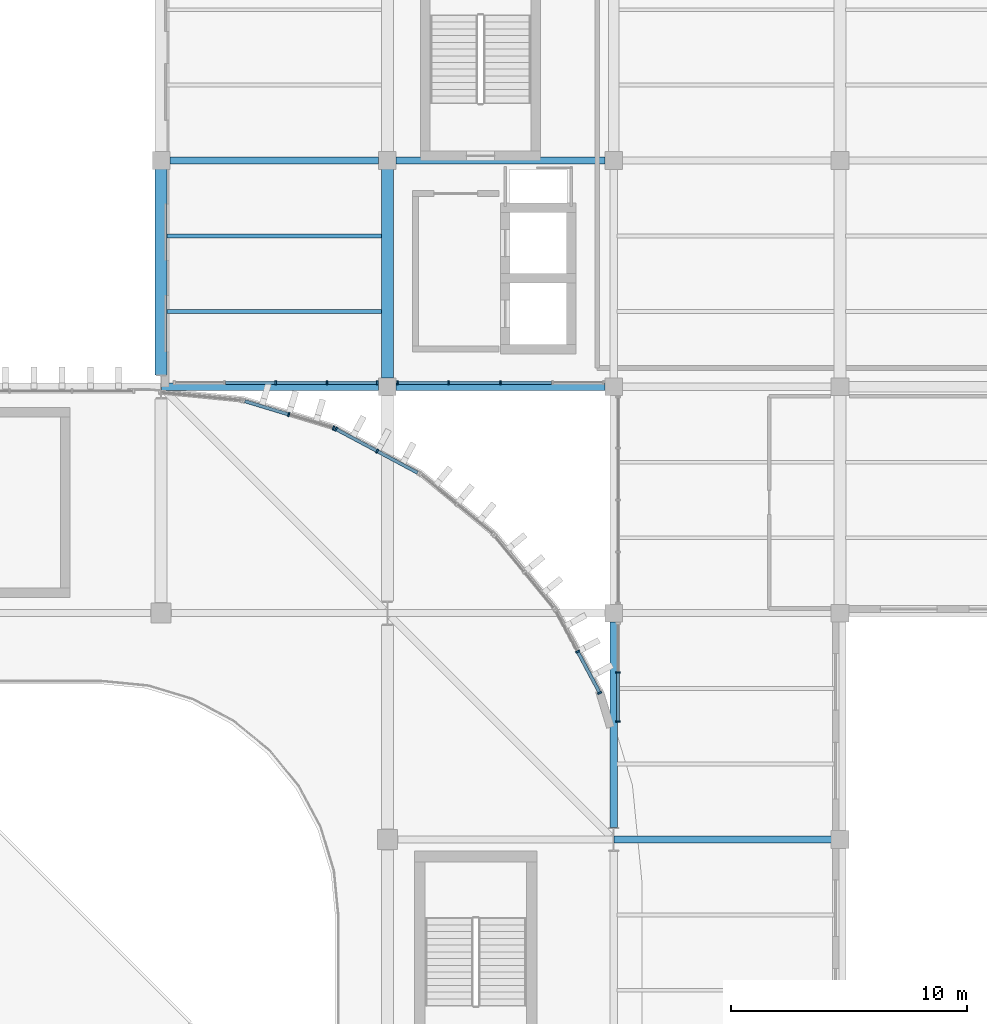
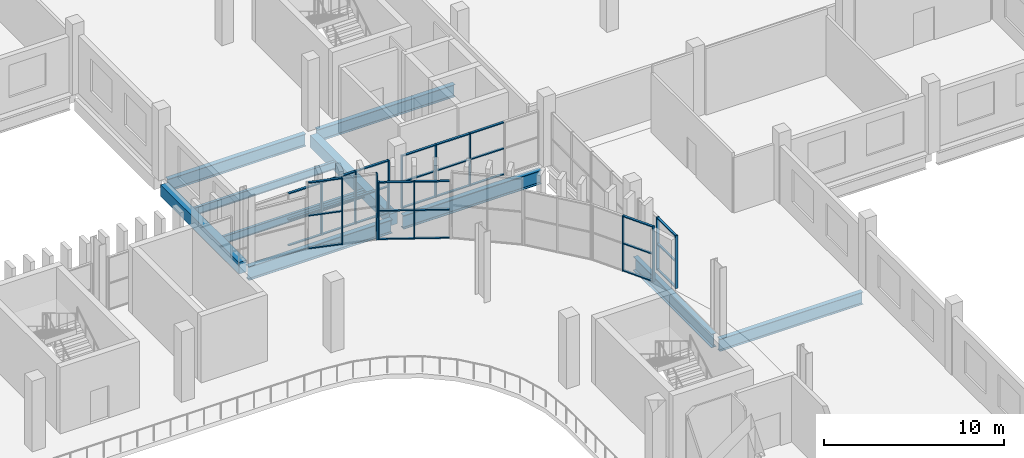
# One storey, part 45 of 99: 47 members, 10 beams, 6 elements without a shape of their own.
"""IFC4 building model written with IfcOpenShell, lengths in metres."""

from ifc_helpers import new_model, si_unit, direction, frame, origin, origin_2d, place, context, subcontext, project, spatial, rectangle, i_section, extrude, material, layer, layer_set, material_profile, profile_set, type_object, element, aggregate, save


model = new_model("IFC4")

# Units and contexts
model_context = context("Model", 3, precision=1e-05, world=origin(), true_north=direction((0.0, 1.0)))
body_context = subcontext(model_context, "Body", "Model", "MODEL_VIEW")
ifc_project = project(units=[si_unit("LENGTHUNIT", "METRE"), si_unit("AREAUNIT", "SQUARE_METRE"), si_unit("VOLUMEUNIT", "CUBIC_METRE"), si_unit("PLANEANGLEUNIT", "RADIAN"), si_unit("MASSUNIT", "GRAM", prefix="KILO")], contexts=[model_context])

# Site, building, storey
site_placement = place(None, origin())
site = spatial("IfcSite", under=ifc_project, at=site_placement, CompositionType="ELEMENT")
building_placement = place(site_placement, origin())
building = spatial("IfcBuilding", under=site, at=building_placement, Name="Caelomonte Colonnade Arena", CompositionType="ELEMENT")
storey_placement = place(building_placement, frame((0.0, 0.0, 4.800048828125)))
storey = spatial("IfcBuildingStorey", under=building, at=storey_placement, Name="L01", CompositionType="ELEMENT", Elevation=4.800048828125)

# Curtain wall, members
ifc_material_1 = material(Name="Bronze anodised aluminium and low-E glazing", Category="aluminium")
ifc_layer_1 = layer(ifc_material_1, 0.179931640625)
ifc_layer_set_1 = layer_set([ifc_layer_1], Name="Bronze anodised aluminium and low-E glazing")
curtain_wall_type_1 = type_object("IfcCurtainWallType", Name="ENV-CW-CW-L01-92-36", PredefinedType="USERDEFINED", material=ifc_layer_set_1)
curtain_wall_1_placement = place(storey_placement, origin())
curtain_wall_1 = element("IfcCurtainWall", 1, at=curtain_wall_1_placement, inside=storey, type_object=curtain_wall_type_1, Name="L01 unitized curtain wall CW-L01-1486-1154", ObjectType="UNITIZED CURTAIN WALL", PredefinedType="USERDEFINED")
ifc_material_2 = material(Name="Bronze anodised aluminium AA6063-T6", Category="aluminium")
ifc_material_profile_1 = material_profile(ifc_material_2, rectangle(XDim=0.070068359375, YDim=0.179931640625, at=origin_2d()), Name="CWM-70X180")
ifc_profile_set_1 = profile_set([ifc_material_profile_1], Name="Bronze anodised aluminium AA6063-T6")
member_type_1 = type_object("IfcMemberType", Name="ENV-CW-MULL1", PredefinedType="MULLION", material=ifc_profile_set_1)
member_1_placement = place(storey_placement, frame((148.865234375, 115.3798828125, 0.0), z_axis=(0.0, 0.0, 1.0), x_axis=(1.0, 0.0, 0.0)))
member_1 = element("IfcMember", 2, at=member_1_placement, type_object=member_type_1, Name="CW-L01-92-36 mullion 3", PredefinedType="MULLION", context=body_context, shape_type="SweptSolid", body=[
    extrude(rectangle(XDim=0.070068359375, YDim=0.179931640625, at=origin_2d()), origin(), (0.0, 0.0, 1.0), 3.593017578125),
])
member_2_placement = place(storey_placement, frame((151.03515625, 115.3798828125, 0.0), z_axis=(0.0, 0.0, 1.0), x_axis=(1.0, 0.0, 0.0)))
member_2 = element("IfcMember", 3, at=member_2_placement, type_object=member_type_1, Name="CW-L01-92-36 mullion 4", PredefinedType="MULLION", context=body_context, shape_type="SweptSolid", body=[
    extrude(rectangle(XDim=0.070068359375, YDim=0.179931640625, at=origin_2d()), origin(), (0.0, 0.0, 1.0), 3.593017578125),
])
member_3_placement = place(storey_placement, frame((153.169921875, 115.3798828125, 0.0), z_axis=(0.0, 0.0, 1.0), x_axis=(1.0, 0.0, 0.0)))
member_3 = element("IfcMember", 4, at=member_3_placement, type_object=member_type_1, Name="CW-L01-92-36 mullion 5", PredefinedType="MULLION", context=body_context, shape_type="SweptSolid", body=[
    extrude(rectangle(XDim=0.070068359375, YDim=0.179931640625, at=origin_2d()), origin(), (0.0, 0.0, 1.0), 3.593017578125),
])

ifc_layer_2 = layer(ifc_material_1, 0.179931640625)
ifc_layer_set_2 = layer_set([ifc_layer_2], Name="Bronze anodised aluminium and low-E glazing")
curtain_wall_type_2 = type_object("IfcCurtainWallType", Name="ENV-CW-CW-L01-89-36", PredefinedType="USERDEFINED", material=ifc_layer_set_2)
curtain_wall_2_placement = place(storey_placement, origin())
curtain_wall_2 = element("IfcCurtainWall", 5, at=curtain_wall_2_placement, inside=storey, type_object=curtain_wall_type_2, Name="L01 unitized curtain wall CW-L01-1584-1154", ObjectType="UNITIZED CURTAIN WALL", PredefinedType="USERDEFINED")
member_4_placement = place(storey_placement, frame((154.030029296875, 115.3798828125, 0.0), z_axis=(0.0, 0.0, 1.0), x_axis=(1.0, 0.0, 0.0)))
member_4 = element("IfcMember", 6, at=member_4_placement, type_object=member_type_1, Name="CW-L01-89-36 mullion 1", PredefinedType="MULLION", context=body_context, shape_type="SweptSolid", body=[
    extrude(rectangle(XDim=0.070068359375, YDim=0.179931640625, at=origin_2d()), origin(), (0.0, 0.0, 1.0), 3.593017578125),
])
member_5_placement = place(storey_placement, frame((156.197509765625, 115.3798828125, 0.0), z_axis=(0.0, 0.0, 1.0), x_axis=(1.0, 0.0, 0.0)))
member_5 = element("IfcMember", 7, at=member_5_placement, type_object=member_type_1, Name="CW-L01-89-36 mullion 2", PredefinedType="MULLION", context=body_context, shape_type="SweptSolid", body=[
    extrude(rectangle(XDim=0.070068359375, YDim=0.179931640625, at=origin_2d()), origin(), (0.0, 0.0, 1.0), 3.593017578125),
])
member_6_placement = place(storey_placement, frame((158.39990234375, 115.3798828125, 0.0), z_axis=(0.0, 0.0, 1.0), x_axis=(1.0, 0.0, 0.0)))
member_6 = element("IfcMember", 8, at=member_6_placement, type_object=member_type_1, Name="CW-L01-89-36 mullion 3", PredefinedType="MULLION", context=body_context, shape_type="SweptSolid", body=[
    extrude(rectangle(XDim=0.070068359375, YDim=0.179931640625, at=origin_2d()), origin(), (0.0, 0.0, 1.0), 3.593017578125),
])

ifc_layer_3 = layer(ifc_material_1, 0.179931640625)
ifc_layer_set_3 = layer_set([ifc_layer_3], Name="Bronze anodised aluminium and low-E glazing")
curtain_wall_type_3 = type_object("IfcCurtainWallType", Name="ENV-CW-CW-L01-44-36", PredefinedType="USERDEFINED", material=ifc_layer_set_3)
curtain_wall_3_placement = place(storey_placement, origin())
curtain_wall_3 = element("IfcCurtainWall", 9, at=curtain_wall_3_placement, inside=storey, type_object=curtain_wall_type_3, Name="L01 unitized curtain wall CW-L01-1634-1030", ObjectType="UNITIZED CURTAIN WALL", PredefinedType="USERDEFINED")
member_7_placement = place(storey_placement, frame((163.3798828125, 103.084716796875, 0.0), z_axis=(0.0, 0.0, 1.0), x_axis=(0.0, -1.0, 0.0)))
member_7 = element("IfcMember", 10, at=member_7_placement, type_object=member_type_1, Name="CW-L01-44-36 mullion 2", PredefinedType="MULLION", context=body_context, shape_type="SweptSolid", body=[
    extrude(rectangle(XDim=0.070068359375, YDim=0.179931640625, at=origin_2d()), origin(), (0.0, 0.0, 1.0), 3.593017578125),
])
member_8_placement = place(storey_placement, frame((163.3798828125, 100.99951171875, 0.0), z_axis=(0.0, 0.0, 1.0), x_axis=(0.0, -1.0, 0.0)))
member_8 = element("IfcMember", 11, at=member_8_placement, type_object=member_type_1, Name="CW-L01-44-36 mullion 3", PredefinedType="MULLION", context=body_context, shape_type="SweptSolid", body=[
    extrude(rectangle(XDim=0.070068359375, YDim=0.179931640625, at=origin_2d()), origin(), (0.0, 0.0, 1.0), 3.593017578125),
])

ifc_layer_4 = layer(ifc_material_1, 0.179931640625)
ifc_layer_set_4 = layer_set([ifc_layer_4], Name="Bronze anodised aluminium and low-E glazing")
curtain_wall_type_4 = type_object("IfcCurtainWallType", Name="ENV-CW-CW-L01-44-38", PredefinedType="USERDEFINED", material=ifc_layer_set_4)
curtain_wall_4_placement = place(storey_placement, origin())
curtain_wall_4 = element("IfcCurtainWall", 12, at=curtain_wall_4_placement, inside=storey, type_object=curtain_wall_type_4, Name="L01 unitized curtain wall CW-L01-1617-1040", ObjectType="UNITIZED CURTAIN WALL", PredefinedType="USERDEFINED")
member_9_placement = place(storey_placement, frame((162.607421875, 102.2177734375, 0.0), z_axis=(0.0, 0.0, 1.0), x_axis=(-0.471394212466, 0.881922613642, 0.0)))
member_9 = element("IfcMember", 13, at=member_9_placement, type_object=member_type_1, Name="CW-L01-44-38 mullion 1", PredefinedType="MULLION", context=body_context, shape_type="SweptSolid", body=[
    extrude(rectangle(XDim=0.070068359375, YDim=0.179931640625, at=origin_2d()), origin(), (0.0, 0.0, 1.0), 3.758056640625),
])
member_10_placement = place(storey_placement, frame((161.67236328125, 103.966796875, 0.0), z_axis=(0.0, 0.0, 1.0), x_axis=(-0.471394212466, 0.881922613642, 0.0)))
member_10 = element("IfcMember", 14, at=member_10_placement, type_object=member_type_1, Name="CW-L01-44-38 mullion 2", PredefinedType="MULLION", context=body_context, shape_type="SweptSolid", body=[
    extrude(rectangle(XDim=0.070068359375, YDim=0.179931640625, at=origin_2d()), origin(), (0.0, 0.0, 1.0), 3.758056640625),
])

ifc_layer_5 = layer(ifc_material_1, 0.179931640625)
ifc_layer_set_5 = layer_set([ifc_layer_5], Name="Bronze anodised aluminium and low-E glazing")
curtain_wall_type_5 = type_object("IfcCurtainWallType", Name="ENV-CW-CW-L01-44-39", PredefinedType="USERDEFINED", material=ifc_layer_set_5)
curtain_wall_5_placement = place(storey_placement, origin())
curtain_wall_5 = element("IfcCurtainWall", 15, at=curtain_wall_5_placement, inside=storey, type_object=curtain_wall_type_5, Name="L01 unitized curtain wall CW-L01-1532-1125", ObjectType="UNITIZED CURTAIN WALL", PredefinedType="USERDEFINED")
member_11_placement = place(storey_placement, frame((153.166748046875, 112.472412109375, 0.0), z_axis=(0.0, 0.0, 1.0), x_axis=(-0.881922613642, 0.471394212466, 0.0)))
member_11 = element("IfcMember", 16, at=member_11_placement, type_object=member_type_1, Name="CW-L01-44-39 mullion 2", PredefinedType="MULLION", context=body_context, shape_type="SweptSolid", body=[
    extrude(rectangle(XDim=0.070068359375, YDim=0.179931640625, at=origin_2d()), origin(), (0.0, 0.0, 1.0), 3.912841796875),
])
member_12_placement = place(storey_placement, frame((151.417724609375, 113.407470703125, 0.0), z_axis=(0.0, 0.0, 1.0), x_axis=(-0.881922613642, 0.471394212466, 0.0)))
member_12 = element("IfcMember", 17, at=member_12_placement, type_object=member_type_1, Name="CW-L01-44-39 mullion 3", PredefinedType="MULLION", context=body_context, shape_type="SweptSolid", body=[
    extrude(rectangle(XDim=0.070068359375, YDim=0.179931640625, at=origin_2d()), origin(), (0.0, 0.0, 1.0), 3.912841796875),
])

ifc_layer_6 = layer(ifc_material_1, 0.179931640625)
ifc_layer_set_6 = layer_set([ifc_layer_6], Name="Bronze anodised aluminium and low-E glazing")
curtain_wall_type_6 = type_object("IfcCurtainWallType", Name="ENV-CW-CW-L01-44-45", PredefinedType="USERDEFINED", material=ifc_layer_set_6)
curtain_wall_6_placement = place(storey_placement, origin())
curtain_wall_6 = element("IfcCurtainWall", 18, at=curtain_wall_6_placement, inside=storey, type_object=curtain_wall_type_6, Name="L01 unitized curtain wall CW-L01-1494-1140", ObjectType="UNITIZED CURTAIN WALL", PredefinedType="USERDEFINED")
member_13_placement = place(storey_placement, frame((151.3125, 113.451171875, 0.0), z_axis=(0.0, 0.0, 1.0), x_axis=(-0.956949160999, 0.290255582655, 0.0)))
member_13 = element("IfcMember", 19, at=member_13_placement, type_object=member_type_1, Name="CW-L01-44-45 mullion 1", PredefinedType="MULLION", context=body_context, shape_type="SweptSolid", body=[
    extrude(rectangle(XDim=0.070068359375, YDim=0.179931640625, at=origin_2d()), origin(), (0.0, 0.0, 1.0), 4.52001953125),
])
member_14_placement = place(storey_placement, frame((149.414306640625, 114.02685546875, 0.0), z_axis=(0.0, 0.0, 1.0), x_axis=(-0.956949160999, 0.290255582655, 0.0)))
member_14 = element("IfcMember", 20, at=member_14_placement, type_object=member_type_1, Name="CW-L01-44-45 mullion 2", PredefinedType="MULLION", context=body_context, shape_type="SweptSolid", body=[
    extrude(rectangle(XDim=0.070068359375, YDim=0.179931640625, at=origin_2d()), origin(), (0.0, 0.0, 1.0), 4.52001953125),
])

# Member
ifc_material_profile_2 = material_profile(ifc_material_2, rectangle(XDim=0.070068359375, YDim=0.139892578125, at=origin_2d()), Name="CWT-70X140")
ifc_profile_set_2 = profile_set([ifc_material_profile_2], Name="Bronze anodised aluminium AA6063-T6")
member_type_2 = type_object("IfcMemberType", Name="ENV-CW-TRAN1", PredefinedType="USERDEFINED", material=ifc_profile_set_2)
member_15_placement = place(storey_placement, frame((146.73046875, 115.3798828125, 0.034912109375), z_axis=(1.0, 0.0, 0.0), x_axis=(0.0, 0.0, 1.0)))
member_15 = element("IfcMember", 21, at=member_15_placement, type_object=member_type_2, Name="CW-L01-92-36 transom 2.1", ObjectType="TRANSOM", PredefinedType="USERDEFINED", context=body_context, shape_type="SweptSolid", body=[
    extrude(rectangle(XDim=0.070068359375, YDim=0.139892578125, at=origin_2d()), origin(), (0.0, 0.0, 1.0), 2.099853515625),
])

member_16_placement = place(storey_placement, frame((146.73046875, 115.3798828125, 1.79638671875), z_axis=(1.0, 0.0, 0.0), x_axis=(0.0, 0.0, 1.0)))
member_16 = element("IfcMember", 22, at=member_16_placement, type_object=member_type_2, Name="CW-L01-92-36 transom 2.2", ObjectType="TRANSOM", PredefinedType="USERDEFINED", context=body_context, shape_type="SweptSolid", body=[
    extrude(rectangle(XDim=0.070068359375, YDim=0.139892578125, at=origin_2d()), origin(), (0.0, 0.0, 1.0), 2.099853515625),
])

member_17_placement = place(storey_placement, frame((146.73046875, 115.3798828125, 3.557861328125), z_axis=(1.0, 0.0, 0.0), x_axis=(0.0, 0.0, 1.0)))
member_17 = element("IfcMember", 23, at=member_17_placement, type_object=member_type_2, Name="CW-L01-92-36 transom 2.3", ObjectType="TRANSOM", PredefinedType="USERDEFINED", context=body_context, shape_type="SweptSolid", body=[
    extrude(rectangle(XDim=0.070068359375, YDim=0.139892578125, at=origin_2d()), origin(), (0.0, 0.0, 1.0), 2.099853515625),
])

member_18_placement = place(storey_placement, frame((148.900146484375, 115.3798828125, 0.034912109375), z_axis=(1.0, 0.0, 0.0), x_axis=(0.0, 0.0, 1.0)))
member_18 = element("IfcMember", 24, at=member_18_placement, type_object=member_type_2, Name="CW-L01-92-36 transom 3.1", ObjectType="TRANSOM", PredefinedType="USERDEFINED", context=body_context, shape_type="SweptSolid", body=[
    extrude(rectangle(XDim=0.070068359375, YDim=0.139892578125, at=origin_2d()), origin(), (0.0, 0.0, 1.0), 2.10009765625),
])

member_19_placement = place(storey_placement, frame((148.900146484375, 115.3798828125, 1.79638671875), z_axis=(1.0, 0.0, 0.0), x_axis=(0.0, 0.0, 1.0)))
member_19 = element("IfcMember", 25, at=member_19_placement, type_object=member_type_2, Name="CW-L01-92-36 transom 3.2", ObjectType="TRANSOM", PredefinedType="USERDEFINED", context=body_context, shape_type="SweptSolid", body=[
    extrude(rectangle(XDim=0.070068359375, YDim=0.139892578125, at=origin_2d()), origin(), (0.0, 0.0, 1.0), 2.10009765625),
])

member_20_placement = place(storey_placement, frame((148.900146484375, 115.3798828125, 3.557861328125), z_axis=(1.0, 0.0, 0.0), x_axis=(0.0, 0.0, 1.0)))
member_20 = element("IfcMember", 26, at=member_20_placement, type_object=member_type_2, Name="CW-L01-92-36 transom 3.3", ObjectType="TRANSOM", PredefinedType="USERDEFINED", context=body_context, shape_type="SweptSolid", body=[
    extrude(rectangle(XDim=0.070068359375, YDim=0.139892578125, at=origin_2d()), origin(), (0.0, 0.0, 1.0), 2.10009765625),
])

member_21_placement = place(storey_placement, frame((151.070068359375, 115.3798828125, 0.034912109375), z_axis=(1.0, 0.0, 0.0), x_axis=(0.0, 0.0, 1.0)))
member_21 = element("IfcMember", 27, at=member_21_placement, type_object=member_type_2, Name="CW-L01-92-36 transom 4.1", ObjectType="TRANSOM", PredefinedType="USERDEFINED", context=body_context, shape_type="SweptSolid", body=[
    extrude(rectangle(XDim=0.070068359375, YDim=0.139892578125, at=origin_2d()), origin(), (0.0, 0.0, 1.0), 2.06494140625),
])

member_22_placement = place(storey_placement, frame((151.070068359375, 115.3798828125, 1.79638671875), z_axis=(1.0, 0.0, 0.0), x_axis=(0.0, 0.0, 1.0)))
member_22 = element("IfcMember", 28, at=member_22_placement, type_object=member_type_2, Name="CW-L01-92-36 transom 4.2", ObjectType="TRANSOM", PredefinedType="USERDEFINED", context=body_context, shape_type="SweptSolid", body=[
    extrude(rectangle(XDim=0.070068359375, YDim=0.139892578125, at=origin_2d()), origin(), (0.0, 0.0, 1.0), 2.06494140625),
])

member_23_placement = place(storey_placement, frame((151.070068359375, 115.3798828125, 3.557861328125), z_axis=(1.0, 0.0, 0.0), x_axis=(0.0, 0.0, 1.0)))
member_23 = element("IfcMember", 29, at=member_23_placement, type_object=member_type_2, Name="CW-L01-92-36 transom 4.3", ObjectType="TRANSOM", PredefinedType="USERDEFINED", context=body_context, shape_type="SweptSolid", body=[
    extrude(rectangle(XDim=0.070068359375, YDim=0.139892578125, at=origin_2d()), origin(), (0.0, 0.0, 1.0), 2.06494140625),
])

aggregate(curtain_wall_1, [member_1, member_2, member_3, member_15, member_16, member_17, member_18, member_19, member_20, member_21, member_22, member_23])

member_24_placement = place(storey_placement, frame((154.06494140625, 115.3798828125, 0.034912109375), z_axis=(1.0, 0.0, 0.0), x_axis=(0.0, 0.0, 1.0)))
member_24 = element("IfcMember", 30, at=member_24_placement, type_object=member_type_2, Name="CW-L01-89-36 transom 1.1", ObjectType="TRANSOM", PredefinedType="USERDEFINED", context=body_context, shape_type="SweptSolid", body=[
    extrude(rectangle(XDim=0.070068359375, YDim=0.139892578125, at=origin_2d()), origin(), (0.0, 0.0, 1.0), 2.09765625),
])

member_25_placement = place(storey_placement, frame((154.06494140625, 115.3798828125, 1.79638671875), z_axis=(1.0, 0.0, 0.0), x_axis=(0.0, 0.0, 1.0)))
member_25 = element("IfcMember", 31, at=member_25_placement, type_object=member_type_2, Name="CW-L01-89-36 transom 1.2", ObjectType="TRANSOM", PredefinedType="USERDEFINED", context=body_context, shape_type="SweptSolid", body=[
    extrude(rectangle(XDim=0.070068359375, YDim=0.139892578125, at=origin_2d()), origin(), (0.0, 0.0, 1.0), 2.09765625),
])

member_26_placement = place(storey_placement, frame((154.06494140625, 115.3798828125, 3.557861328125), z_axis=(1.0, 0.0, 0.0), x_axis=(0.0, 0.0, 1.0)))
member_26 = element("IfcMember", 32, at=member_26_placement, type_object=member_type_2, Name="CW-L01-89-36 transom 1.3", ObjectType="TRANSOM", PredefinedType="USERDEFINED", context=body_context, shape_type="SweptSolid", body=[
    extrude(rectangle(XDim=0.070068359375, YDim=0.139892578125, at=origin_2d()), origin(), (0.0, 0.0, 1.0), 2.09765625),
])

member_27_placement = place(storey_placement, frame((156.232421875, 115.3798828125, 0.034912109375), z_axis=(1.0, 0.0, 0.0), x_axis=(0.0, 0.0, 1.0)))
member_27 = element("IfcMember", 33, at=member_27_placement, type_object=member_type_2, Name="CW-L01-89-36 transom 2.1", ObjectType="TRANSOM", PredefinedType="USERDEFINED", context=body_context, shape_type="SweptSolid", body=[
    extrude(rectangle(XDim=0.070068359375, YDim=0.139892578125, at=origin_2d()), origin(), (0.0, 0.0, 1.0), 2.132568359375),
])

member_28_placement = place(storey_placement, frame((156.232421875, 115.3798828125, 1.79638671875), z_axis=(1.0, 0.0, 0.0), x_axis=(0.0, 0.0, 1.0)))
member_28 = element("IfcMember", 34, at=member_28_placement, type_object=member_type_2, Name="CW-L01-89-36 transom 2.2", ObjectType="TRANSOM", PredefinedType="USERDEFINED", context=body_context, shape_type="SweptSolid", body=[
    extrude(rectangle(XDim=0.070068359375, YDim=0.139892578125, at=origin_2d()), origin(), (0.0, 0.0, 1.0), 2.132568359375),
])

member_29_placement = place(storey_placement, frame((156.232421875, 115.3798828125, 3.557861328125), z_axis=(1.0, 0.0, 0.0), x_axis=(0.0, 0.0, 1.0)))
member_29 = element("IfcMember", 35, at=member_29_placement, type_object=member_type_2, Name="CW-L01-89-36 transom 2.3", ObjectType="TRANSOM", PredefinedType="USERDEFINED", context=body_context, shape_type="SweptSolid", body=[
    extrude(rectangle(XDim=0.070068359375, YDim=0.139892578125, at=origin_2d()), origin(), (0.0, 0.0, 1.0), 2.132568359375),
])

member_30_placement = place(storey_placement, frame((158.43505859375, 115.3798828125, 0.034912109375), z_axis=(1.0, 0.0, 0.0), x_axis=(0.0, 0.0, 1.0)))
member_30 = element("IfcMember", 36, at=member_30_placement, type_object=member_type_2, Name="CW-L01-89-36 transom 3.1", ObjectType="TRANSOM", PredefinedType="USERDEFINED", context=body_context, shape_type="SweptSolid", body=[
    extrude(rectangle(XDim=0.070068359375, YDim=0.139892578125, at=origin_2d()), origin(), (0.0, 0.0, 1.0), 2.13232421875),
])

member_31_placement = place(storey_placement, frame((158.43505859375, 115.3798828125, 1.79638671875), z_axis=(1.0, 0.0, 0.0), x_axis=(0.0, 0.0, 1.0)))
member_31 = element("IfcMember", 37, at=member_31_placement, type_object=member_type_2, Name="CW-L01-89-36 transom 3.2", ObjectType="TRANSOM", PredefinedType="USERDEFINED", context=body_context, shape_type="SweptSolid", body=[
    extrude(rectangle(XDim=0.070068359375, YDim=0.139892578125, at=origin_2d()), origin(), (0.0, 0.0, 1.0), 2.13232421875),
])

member_32_placement = place(storey_placement, frame((158.43505859375, 115.3798828125, 3.557861328125), z_axis=(1.0, 0.0, 0.0), x_axis=(0.0, 0.0, 1.0)))
member_32 = element("IfcMember", 38, at=member_32_placement, type_object=member_type_2, Name="CW-L01-89-36 transom 3.3", ObjectType="TRANSOM", PredefinedType="USERDEFINED", context=body_context, shape_type="SweptSolid", body=[
    extrude(rectangle(XDim=0.070068359375, YDim=0.139892578125, at=origin_2d()), origin(), (0.0, 0.0, 1.0), 2.13232421875),
])

aggregate(curtain_wall_2, [member_4, member_5, member_6, member_24, member_25, member_26, member_27, member_28, member_29, member_30, member_31, member_32])

member_33_placement = place(storey_placement, frame((163.3798828125, 103.0498046875, 0.034912109375), z_axis=(0.0, -1.0, 0.0), x_axis=(0.0, 0.0, 1.0)))
member_33 = element("IfcMember", 39, at=member_33_placement, type_object=member_type_2, Name="CW-L01-44-36 transom 2.1", ObjectType="TRANSOM", PredefinedType="USERDEFINED", context=body_context, shape_type="SweptSolid", body=[
    extrude(rectangle(XDim=0.070068359375, YDim=0.139892578125, at=origin_2d()), origin(), (0.0, 0.0, 1.0), 2.015380859375),
])

member_34_placement = place(storey_placement, frame((163.3798828125, 103.0498046875, 1.79638671875), z_axis=(0.0, -1.0, 0.0), x_axis=(0.0, 0.0, 1.0)))
member_34 = element("IfcMember", 40, at=member_34_placement, type_object=member_type_2, Name="CW-L01-44-36 transom 2.2", ObjectType="TRANSOM", PredefinedType="USERDEFINED", context=body_context, shape_type="SweptSolid", body=[
    extrude(rectangle(XDim=0.070068359375, YDim=0.139892578125, at=origin_2d()), origin(), (0.0, 0.0, 1.0), 2.015380859375),
])

member_35_placement = place(storey_placement, frame((163.3798828125, 103.0498046875, 3.557861328125), z_axis=(0.0, -1.0, 0.0), x_axis=(0.0, 0.0, 1.0)))
member_35 = element("IfcMember", 41, at=member_35_placement, type_object=member_type_2, Name="CW-L01-44-36 transom 2.3", ObjectType="TRANSOM", PredefinedType="USERDEFINED", context=body_context, shape_type="SweptSolid", body=[
    extrude(rectangle(XDim=0.070068359375, YDim=0.139892578125, at=origin_2d()), origin(), (0.0, 0.0, 1.0), 2.015380859375),
])

aggregate(curtain_wall_3, [member_7, member_8, member_33, member_34, member_35])

member_36_placement = place(storey_placement, frame((162.5908203125, 102.24853515625, 0.034912109375), z_axis=(-0.471343048304, 0.88194995936, 0.0), x_axis=(0.0, 0.0, 1.0)))
member_36 = element("IfcMember", 42, at=member_36_placement, type_object=member_type_2, Name="CW-L01-44-38 transom 1.1", ObjectType="TRANSOM", PredefinedType="USERDEFINED", context=body_context, shape_type="SweptSolid", body=[
    extrude(rectangle(XDim=0.070068359375, YDim=0.139892578125, at=origin_2d()), origin(), (0.0, 0.0, 1.0), 1.913330078125),
])

member_37_placement = place(storey_placement, frame((162.5908203125, 102.24853515625, 1.87890625), z_axis=(-0.471343048304, 0.88194995936, 0.0), x_axis=(0.0, 0.0, 1.0)))
member_37 = element("IfcMember", 43, at=member_37_placement, type_object=member_type_2, Name="CW-L01-44-38 transom 1.2", ObjectType="TRANSOM", PredefinedType="USERDEFINED", context=body_context, shape_type="SweptSolid", body=[
    extrude(rectangle(XDim=0.070068359375, YDim=0.139892578125, at=origin_2d()), origin(), (0.0, 0.0, 1.0), 1.913330078125),
])

member_38_placement = place(storey_placement, frame((162.5908203125, 102.24853515625, 3.722900390625), z_axis=(-0.471343048304, 0.88194995936, 0.0), x_axis=(0.0, 0.0, 1.0)))
member_38 = element("IfcMember", 44, at=member_38_placement, type_object=member_type_2, Name="CW-L01-44-38 transom 1.3", ObjectType="TRANSOM", PredefinedType="USERDEFINED", context=body_context, shape_type="SweptSolid", body=[
    extrude(rectangle(XDim=0.070068359375, YDim=0.139892578125, at=origin_2d()), origin(), (0.0, 0.0, 1.0), 1.913330078125),
])

aggregate(curtain_wall_4, [member_9, member_10, member_36, member_37, member_38])

member_39_placement = place(storey_placement, frame((154.88525390625, 111.553955078125, 0.034912109375), z_axis=(-0.881896914799, 0.471442288799, 0.0), x_axis=(0.0, 0.0, 1.0)))
member_39 = element("IfcMember", 45, at=member_39_placement, type_object=member_type_2, Name="CW-L01-44-39 transom 1.1", ObjectType="TRANSOM", PredefinedType="USERDEFINED", context=body_context, shape_type="SweptSolid", body=[
    extrude(rectangle(XDim=0.070068359375, YDim=0.139892578125, at=origin_2d()), origin(), (0.0, 0.0, 1.0), 1.91357421875),
])

member_40_placement = place(storey_placement, frame((154.88525390625, 111.553955078125, 1.95654296875), z_axis=(-0.881896914799, 0.471442288799, 0.0), x_axis=(0.0, 0.0, 1.0)))
member_40 = element("IfcMember", 46, at=member_40_placement, type_object=member_type_2, Name="CW-L01-44-39 transom 1.2", ObjectType="TRANSOM", PredefinedType="USERDEFINED", context=body_context, shape_type="SweptSolid", body=[
    extrude(rectangle(XDim=0.070068359375, YDim=0.139892578125, at=origin_2d()), origin(), (0.0, 0.0, 1.0), 1.91357421875),
])

member_41_placement = place(storey_placement, frame((154.88525390625, 111.553955078125, 3.8779296875), z_axis=(-0.881896914799, 0.471442288799, 0.0), x_axis=(0.0, 0.0, 1.0)))
member_41 = element("IfcMember", 47, at=member_41_placement, type_object=member_type_2, Name="CW-L01-44-39 transom 1.3", ObjectType="TRANSOM", PredefinedType="USERDEFINED", context=body_context, shape_type="SweptSolid", body=[
    extrude(rectangle(XDim=0.070068359375, YDim=0.139892578125, at=origin_2d()), origin(), (0.0, 0.0, 1.0), 1.91357421875),
])

member_42_placement = place(storey_placement, frame((153.135986328125, 112.489013671875, 0.034912109375), z_axis=(-0.88194995936, 0.471343048304, 0.0), x_axis=(0.0, 0.0, 1.0)))
member_42 = element("IfcMember", 48, at=member_42_placement, type_object=member_type_2, Name="CW-L01-44-39 transom 2.1", ObjectType="TRANSOM", PredefinedType="USERDEFINED", context=body_context, shape_type="SweptSolid", body=[
    extrude(rectangle(XDim=0.070068359375, YDim=0.139892578125, at=origin_2d()), origin(), (0.0, 0.0, 1.0), 1.913330078125),
])

member_43_placement = place(storey_placement, frame((153.135986328125, 112.489013671875, 1.95654296875), z_axis=(-0.88194995936, 0.471343048304, 0.0), x_axis=(0.0, 0.0, 1.0)))
member_43 = element("IfcMember", 49, at=member_43_placement, type_object=member_type_2, Name="CW-L01-44-39 transom 2.2", ObjectType="TRANSOM", PredefinedType="USERDEFINED", context=body_context, shape_type="SweptSolid", body=[
    extrude(rectangle(XDim=0.070068359375, YDim=0.139892578125, at=origin_2d()), origin(), (0.0, 0.0, 1.0), 1.913330078125),
])

member_44_placement = place(storey_placement, frame((153.135986328125, 112.489013671875, 3.8779296875), z_axis=(-0.88194995936, 0.471343048304, 0.0), x_axis=(0.0, 0.0, 1.0)))
member_44 = element("IfcMember", 50, at=member_44_placement, type_object=member_type_2, Name="CW-L01-44-39 transom 2.3", ObjectType="TRANSOM", PredefinedType="USERDEFINED", context=body_context, shape_type="SweptSolid", body=[
    extrude(rectangle(XDim=0.070068359375, YDim=0.139892578125, at=origin_2d()), origin(), (0.0, 0.0, 1.0), 1.913330078125),
])

aggregate(curtain_wall_5, [member_11, member_12, member_39, member_40, member_41, member_42, member_43, member_44])

member_45_placement = place(storey_placement, frame((149.380859375, 114.036865234375, 0.034912109375), z_axis=(-0.956943884494, 0.290272978297, 0.0), x_axis=(0.0, 0.0, 1.0)))
member_45 = element("IfcMember", 51, at=member_45_placement, type_object=member_type_2, Name="CW-L01-44-45 transom 2.1", ObjectType="TRANSOM", PredefinedType="USERDEFINED", context=body_context, shape_type="SweptSolid", body=[
    extrude(rectangle(XDim=0.070068359375, YDim=0.139892578125, at=origin_2d()), origin(), (0.0, 0.0, 1.0), 1.913330078125),
])

member_46_placement = place(storey_placement, frame((149.380859375, 114.036865234375, 2.260009765625), z_axis=(-0.956943884494, 0.290272978297, 0.0), x_axis=(0.0, 0.0, 1.0)))
member_46 = element("IfcMember", 52, at=member_46_placement, type_object=member_type_2, Name="CW-L01-44-45 transom 2.2", ObjectType="TRANSOM", PredefinedType="USERDEFINED", context=body_context, shape_type="SweptSolid", body=[
    extrude(rectangle(XDim=0.070068359375, YDim=0.139892578125, at=origin_2d()), origin(), (0.0, 0.0, 1.0), 1.913330078125),
])

member_47_placement = place(storey_placement, frame((149.380859375, 114.036865234375, 4.48486328125), z_axis=(-0.956943884494, 0.290272978297, 0.0), x_axis=(0.0, 0.0, 1.0)))
member_47 = element("IfcMember", 53, at=member_47_placement, type_object=member_type_2, Name="CW-L01-44-45 transom 2.3", ObjectType="TRANSOM", PredefinedType="USERDEFINED", context=body_context, shape_type="SweptSolid", body=[
    extrude(rectangle(XDim=0.070068359375, YDim=0.139892578125, at=origin_2d()), origin(), (0.0, 0.0, 1.0), 1.913330078125),
])

aggregate(curtain_wall_6, [member_13, member_14, member_45, member_46, member_47])

# Beams
ifc_material_3 = material(Name="Wide-flange steel ASTM A992 Grade 50", Category="steel")
ifc_material_profile_3 = material_profile(ifc_material_3, i_section(OverallWidth=0.307861328125, OverallDepth=0.927001953125, WebThickness=0.019287109375, FlangeThickness=0.031982421875, FilletRadius=0.020263671875, at=origin_2d()), Name="W36X194")
ifc_profile_set_3 = profile_set([ifc_material_profile_3], Name="Wide-flange steel ASTM A992 Grade 50")
beam_type_1 = type_object("IfcBeamType", Name="STR-BM-EAVES2", PredefinedType="SPANDREL", material=ifc_profile_set_3)
beam_1_placement = place(storey_placement, frame((144.015380859375, 115.199951171875, -0.763427734375), z_axis=(1.0, 0.0, 0.0), x_axis=(0.0, 1.0, 0.0)))
element("IfcBeam", 54, at=beam_1_placement, inside=storey, type_object=beam_type_1, Name="L01 girder BMX-L01-1440-1152", PredefinedType="SPANDREL", context=body_context, shape_type="SweptSolid", body=[
    extrude(i_section(OverallWidth=0.307861328125, OverallDepth=0.927001953125, WebThickness=0.019287109375, FlangeThickness=0.031982421875, FilletRadius=0.020263671875, at=origin_2d()), origin(), (0.0, 0.0, 1.0), 9.217529296875),
])
beam_2_placement = place(storey_placement, frame((153.967041015625, 115.199951171875, -0.763427734375), z_axis=(1.0, 0.0, 0.0), x_axis=(0.0, 1.0, 0.0)))
element("IfcBeam", 55, at=beam_2_placement, inside=storey, type_object=beam_type_1, Name="L01 girder BMX-L01-1536-1152", PredefinedType="SPANDREL", context=body_context, shape_type="SweptSolid", body=[
    extrude(i_section(OverallWidth=0.307861328125, OverallDepth=0.927001953125, WebThickness=0.019287109375, FlangeThickness=0.031982421875, FilletRadius=0.020263671875, at=origin_2d()), origin(), (0.0, 0.0, 1.0), 8.865966796875),
])
beam_3_placement = place(storey_placement, frame((163.199951171875, 96.5126953125, -0.763427734375), z_axis=(0.0, 1.0, 0.0), x_axis=(-1.0, 0.0, 0.0)))
element("IfcBeam", 56, at=beam_3_placement, inside=storey, type_object=beam_type_1, Name="L01 girder BMY-L01-1632-0960", PredefinedType="SPANDREL", context=body_context, shape_type="SweptSolid", body=[
    extrude(i_section(OverallWidth=0.307861328125, OverallDepth=0.927001953125, WebThickness=0.019287109375, FlangeThickness=0.031982421875, FilletRadius=0.020263671875, at=origin_2d()), origin(), (0.0, 0.0, 1.0), 8.72021484375),
])
ifc_material_profile_4 = material_profile(ifc_material_3, i_section(OverallWidth=0.2919921875, OverallDepth=0.835693359375, WebThickness=0.013916015625, FlangeThickness=0.018798828125, FilletRadius=0.017822265625, at=origin_2d()), Name="W33X118")
ifc_profile_set_4 = profile_set([ifc_material_profile_4], Name="Wide-flange steel ASTM A992 Grade 50")
beam_type_2 = type_object("IfcBeamType", Name="STR-BM-GIRD33B", PredefinedType="BEAM", material=ifc_profile_set_4)
beam_4_placement = place(storey_placement, frame((163.215576171875, 96.0, -0.7177734375), z_axis=(1.0, 0.0, 0.0), x_axis=(0.0, 1.0, 0.0)))
element("IfcBeam", 57, at=beam_4_placement, inside=storey, type_object=beam_type_2, Name="L01 girder BMX-L01-1632-0960", PredefinedType="BEAM", context=body_context, shape_type="SweptSolid", body=[
    extrude(i_section(OverallWidth=0.2919921875, OverallDepth=0.835693359375, WebThickness=0.013916015625, FlangeThickness=0.018798828125, FilletRadius=0.017822265625, at=origin_2d()), origin(), (0.0, 0.0, 1.0), 9.217529296875),
])
for number, where, z_axis, x_axis, name in (
    (58, (144.366943359375, 124.800048828125, -0.7177734375), (1.0, 0.0, 0.0), (0.0, 1.0, 0.0), "L01 girder BMX-L01-1440-1248"),
    (59, (153.967041015625, 124.800048828125, -0.7177734375), (1.0, 0.0, 0.0), (0.0, 1.0, 0.0), "L01 girder BMX-L01-1536-1248"),
):
    element("IfcBeam", number, at=place(storey_placement, frame(where, z_axis=z_axis, x_axis=x_axis)), inside=storey, type_object=beam_type_2, Name=name, PredefinedType="BEAM", context=body_context, shape_type="SweptSolid", body=[
        extrude(i_section(OverallWidth=0.2919921875, OverallDepth=0.835693359375, WebThickness=0.013916015625, FlangeThickness=0.018798828125, FilletRadius=0.017822265625, at=origin_2d()), origin(), (0.0, 0.0, 1.0), 8.865966796875),
    ])
ifc_material_profile_5 = material_profile(ifc_material_3, i_section(OverallWidth=0.166015625, OverallDepth=0.5283203125, WebThickness=0.009765625, FlangeThickness=0.013671875, FilletRadius=0.0126953125, at=origin_2d()), Name="W21X50")
ifc_profile_set_5 = profile_set([ifc_material_profile_5], Name="Wide-flange steel ASTM A992 Grade 50")
beam_type_3 = type_object("IfcBeamType", Name="STR-BM-JOIST21B", PredefinedType="JOIST", material=ifc_profile_set_5)
for number, where, z_axis, x_axis, name in (
    (60, (144.2451171875, 118.39990234375, -0.564208984375), (1.0, 0.0, 0.0), (0.0, 1.0, 0.0), "L01 secondary joist 1"),
    (61, (144.2451171875, 121.60009765625, -0.564208984375), (1.0, 0.0, 0.0), (0.0, 1.0, 0.0), "L01 secondary joist 2"),
):
    element("IfcBeam", number, at=place(storey_placement, frame(where, z_axis=z_axis, x_axis=x_axis)), inside=storey, type_object=beam_type_3, Name=name, PredefinedType="JOIST", context=body_context, shape_type="SweptSolid", body=[
        extrude(i_section(OverallWidth=0.166015625, OverallDepth=0.5283203125, WebThickness=0.009765625, FlangeThickness=0.013671875, FilletRadius=0.0126953125, at=origin_2d()), origin(), (0.0, 0.0, 1.0), 9.10986328125),
    ])
ifc_material_4 = material(Name="Concrete C40/50", Category="concrete")
ifc_material_profile_6 = material_profile(ifc_material_4, rectangle(XDim=0.5, YDim=0.800048828125, at=origin_2d()), Name="RC500X800")
ifc_profile_set_6 = profile_set([ifc_material_profile_6], Name="Concrete C40/50")
beam_type_4 = type_object("IfcBeamType", Name="STR-BM-RC50", PredefinedType="BEAM", material=ifc_profile_set_6)
beam_5_placement = place(storey_placement, frame((144.0, 115.712646484375, -0.699951171875), z_axis=(0.0, 1.0, 0.0), x_axis=(-1.0, 0.0, 0.0)))
element("IfcBeam", 62, at=beam_5_placement, inside=storey, type_object=beam_type_4, Name="L01 girder BMY-L01-1440-1152", PredefinedType="BEAM", context=body_context, shape_type="SweptSolid", body=[
    extrude(rectangle(XDim=0.5, YDim=0.800048828125, at=origin_2d()), origin(), (0.0, 0.0, 1.0), 8.720458984375),
])
beam_6_placement = place(storey_placement, frame((153.60009765625, 115.56689453125, -0.699951171875), z_axis=(0.0, 1.0, 0.0), x_axis=(-1.0, 0.0, 0.0)))
element("IfcBeam", 63, at=beam_6_placement, inside=storey, type_object=beam_type_4, Name="L01 girder BMY-L01-1536-1152", PredefinedType="BEAM", context=body_context, shape_type="SweptSolid", body=[
    extrude(rectangle(XDim=0.5, YDim=0.800048828125, at=origin_2d()), origin(), (0.0, 0.0, 1.0), 8.8662109375),
])

save(model, "model.ifc")
